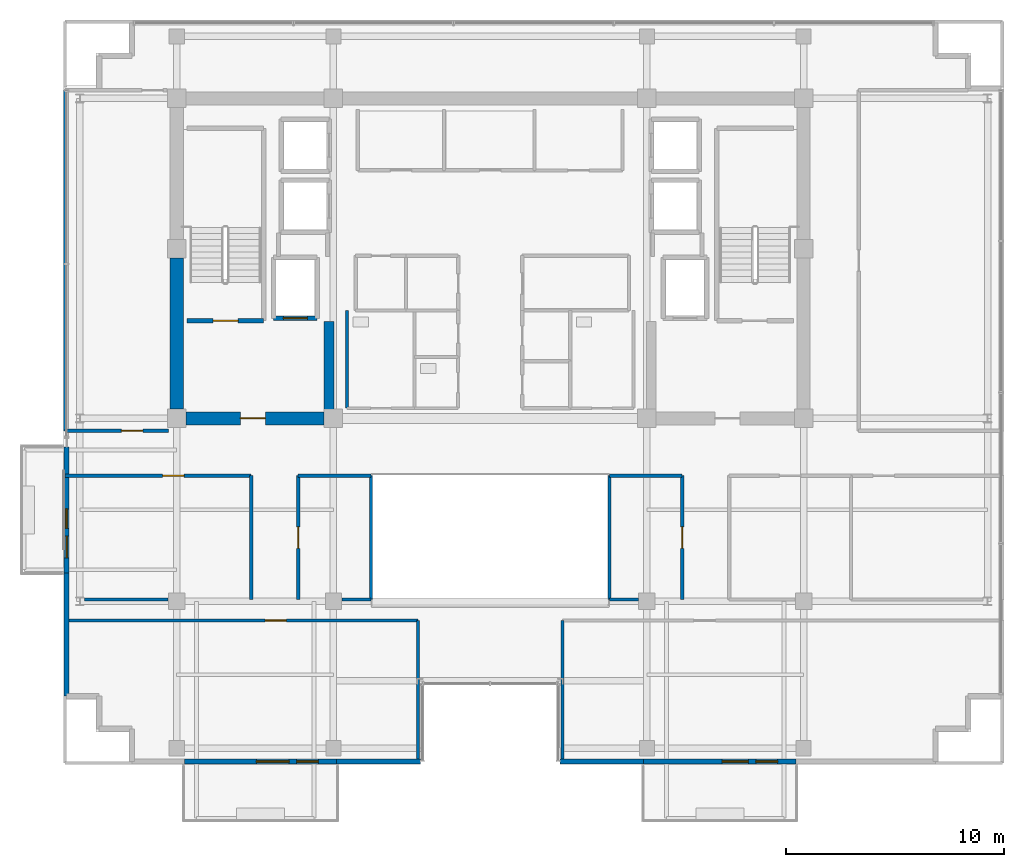
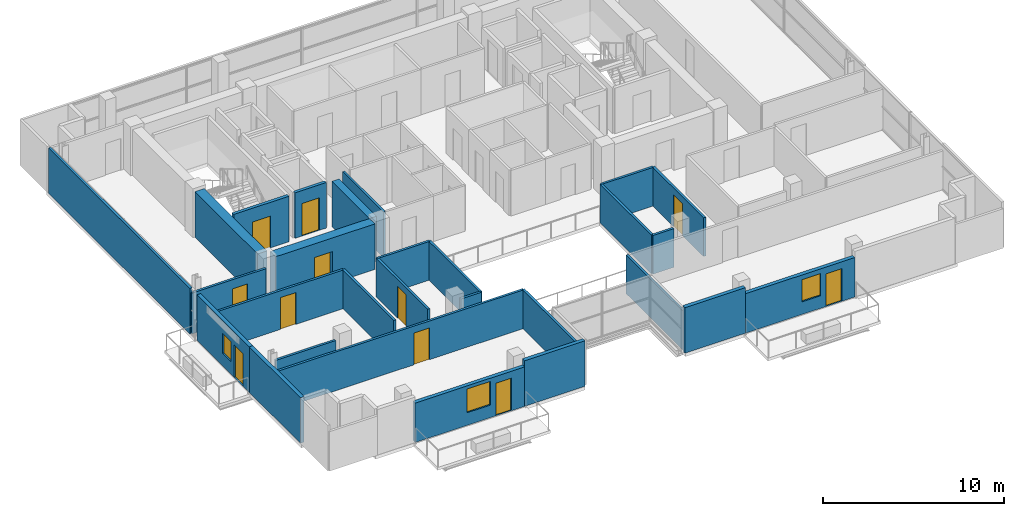
# One storey, part 15 of 21: 28 walls, 11 doors, 3 windows, 14 openings.
"""IFC4 building model written with IfcOpenShell, lengths in metres."""

import ifcopenshell
import ifcopenshell.guid

model = None  # the IFC model being written
_history = None  # IfcOwnerHistory: only IFC2X3 demands one
_inside = {}  # id of a spatial element -> (the spatial element, [elements in it])
_under = {}  # id of a project, library or spatial element -> (it, [spatial elements below it])
_declared = {}  # id of a project -> (the project, [libraries it declares])
_typed = {}  # id of a type object -> (the type object, [elements of that type])
_made_of = {}  # id of a material, layer set ... -> (it, [elements and type objects made of it])


def new_model(schema):
    """Start an empty IFC model of exactly this schema.

    Asked for "IFC4X3", IfcOpenShell would pick the latest addendum, in which some entities
    have other attributes; the version numbers below select the first issue.
    IFC2X3 requires an IfcOwnerHistory on every rooted entity: one is made here for all.
    """
    global model, _history
    if schema == "IFC4X3":
        model = ifcopenshell.file(schema_version=(4, 3, 0, 0))
    else:
        model = ifcopenshell.file(schema=schema)
    _inside.clear()
    _under.clear()
    _declared.clear()
    _typed.clear()
    _made_of.clear()
    _history = None
    if model.schema == "IFC2X3":
        org = make("IfcOrganization", Name="unknown")
        user = make(
            "IfcPersonAndOrganization",
            ThePerson=make("IfcPerson", FamilyName="unknown"),
            TheOrganization=org,
        )
        app = make(
            "IfcApplication",
            ApplicationDeveloper=org,
            Version="unknown",
            ApplicationFullName="unknown",
            ApplicationIdentifier="unknown",
        )
        _history = make(
            "IfcOwnerHistory",
            OwningUser=user,
            OwningApplication=app,
            ChangeAction="ADDED",
            CreationDate=0,
        )
    return model


def make(cls, **values):
    """One entity of the class cls with the attributes given. An attribute that is None is left unset."""
    return model.create_entity(
        cls, **{name: value for name, value in values.items() if value is not None}
    )


def rooted(cls, **values):
    """An entity with a GlobalId (a new one), such as an element, a storey or a relation."""
    return make(cls, GlobalId=ifcopenshell.guid.new(), OwnerHistory=_history, **values)


def si_unit(unit_type, name, prefix=None):
    """IfcSIUnit, for example si_unit("LENGTHUNIT", "METRE", prefix="MILLI")."""
    return make("IfcSIUnit", UnitType=unit_type, Prefix=prefix, Name=name)


def assignment(units):
    """IfcUnitAssignment: the units of a project."""
    return None if units is None else make("IfcUnitAssignment", Units=units)


def point(xyz):
    """IfcCartesianPoint."""
    return None if xyz is None else make("IfcCartesianPoint", Coordinates=xyz)


def direction(xyz):
    """IfcDirection."""
    return None if xyz is None else make("IfcDirection", DirectionRatios=xyz)


def frame(location, z_axis=None, x_axis=None):
    """IfcAxis2Placement3D, a coordinate frame: its origin and axes. An axis left out is left unset."""
    return make(
        "IfcAxis2Placement3D",
        Location=point(location),
        Axis=direction(z_axis),
        RefDirection=direction(x_axis),
    )


def frame_2d(location, x_axis=None):
    """IfcAxis2Placement2D, a coordinate frame in the plane: its origin and x axis."""
    return make(
        "IfcAxis2Placement2D", Location=point(location), RefDirection=direction(x_axis)
    )


def origin():
    """The frame at (0, 0, 0) with its axes left unset."""
    return frame((0.0, 0.0, 0.0))


def place(relative_to, where):
    """IfcLocalPlacement: puts the frame where relative to a parent placement (None: the world)."""
    return make(
        "IfcLocalPlacement", PlacementRelTo=relative_to, RelativePlacement=where
    )


def context(
    kind, dimensions, precision=None, world=None, true_north=None, identifier=None
):
    """IfcGeometricRepresentationContext, for example the 3D "Model" context."""
    return make(
        "IfcGeometricRepresentationContext",
        ContextIdentifier=identifier,
        ContextType=kind,
        CoordinateSpaceDimension=dimensions,
        Precision=precision,
        WorldCoordinateSystem=world,
        TrueNorth=true_north,
    )


def subcontext(parent, identifier, kind, view, scale=None):
    """IfcGeometricRepresentationSubContext, for example "Body" below "Model"."""
    return make(
        "IfcGeometricRepresentationSubContext",
        ContextIdentifier=identifier,
        ContextType=kind,
        ParentContext=parent,
        TargetScale=scale,
        TargetView=view,
    )


def project(units=None, contexts=None):
    """IfcProject with its units and contexts."""
    return rooted(
        "IfcProject",
        Name="project",
        RepresentationContexts=contexts,
        UnitsInContext=assignment(units),
    )


def spatial(cls, under=None, at=None, **own):
    """A site, building, storey or space (cls), placed at a placement, below another one or the project."""
    s = rooted(cls, ObjectPlacement=at, **own)
    if under is not None:
        _under.setdefault(under.id(), (under, []))[1].append(s)
    return s


def profile(cls, at=None, kind="AREA", **sizes):
    """A parametric profile (cls). Its sizes go by their IFC names, for example OverallWidth=200.0."""
    return make(cls, ProfileType=kind, Position=at, **sizes)


def rectangle(**sizes):
    """IfcRectangleProfileDef."""
    return profile("IfcRectangleProfileDef", **sizes)


def extrude(swept, where, along, depth):
    """IfcExtrudedAreaSolid: the profile swept, set in the frame where, extruded along a direction by depth."""
    return make(
        "IfcExtrudedAreaSolid",
        SweptArea=swept,
        Position=where,
        ExtrudedDirection=direction(along),
        Depth=depth,
    )


def shape(context_of_items, identifier, shape_type, items):
    """IfcShapeRepresentation: the items that make up one representation, for example the "Body"."""
    return make(
        "IfcShapeRepresentation",
        ContextOfItems=context_of_items,
        RepresentationIdentifier=identifier,
        RepresentationType=shape_type,
        Items=items,
    )


def source(mapping_origin, context_of_items, identifier, shape_type, items):
    """IfcRepresentationMap: a shape defined once, which mapped items show again and again."""
    return make(
        "IfcRepresentationMap",
        MappingOrigin=mapping_origin,
        MappedRepresentation=shape(context_of_items, identifier, shape_type, items),
    )


def transform(
    local_origin,
    x_axis=None,
    y_axis=None,
    z_axis=None,
    scale=None,
    scale2=None,
    scale3=None,
    uniform=True,
):
    """IfcCartesianTransformationOperator3D, or its non-uniform kind. x_axis, y_axis, z_axis: its Axis1, 2, 3."""
    if uniform:
        return make(
            "IfcCartesianTransformationOperator3D",
            Axis1=direction(x_axis),
            Axis2=direction(y_axis),
            LocalOrigin=point(local_origin),
            Scale=scale,
            Axis3=direction(z_axis),
        )
    return make(
        "IfcCartesianTransformationOperator3DnonUniform",
        Axis1=direction(x_axis),
        Axis2=direction(y_axis),
        LocalOrigin=point(local_origin),
        Scale=scale,
        Axis3=direction(z_axis),
        Scale2=scale2,
        Scale3=scale3,
    )


def mapped(mapping_source, mapping_target):
    """IfcMappedItem: shows the shape of a source again, moved by a transform."""
    return make(
        "IfcMappedItem", MappingSource=mapping_source, MappingTarget=mapping_target
    )


def material(Name=None, Category=None):
    """IfcMaterial."""
    return make("IfcMaterial", Name=Name, Category=Category)


def layer(
    of_material, thickness, ventilated=None, Name=None, Category=None, Priority=None
):
    """IfcMaterialLayer: one layer of a wall or slab, of a material (None: an air gap)."""
    return make(
        "IfcMaterialLayer",
        Material=of_material,
        LayerThickness=thickness,
        IsVentilated=ventilated,
        Name=Name,
        Category=Category,
        Priority=Priority,
    )


def layer_set(layers, Name=None):
    """IfcMaterialLayerSet."""
    return make("IfcMaterialLayerSet", MaterialLayers=layers, LayerSetName=Name)


def made_of(thing, what):
    """Note that an element or type object is made of a material, layer set ...; save() writes the relation."""
    if what is not None:
        _made_of.setdefault(what.id(), (what, []))[1].append(thing)
    return thing


def type_object(cls, material=None, **own):
    """A type object (cls), such as IfcWallType, which elements share."""
    return made_of(rooted(cls, **own), material)


def element(
    cls,
    number,
    at=None,
    inside=None,
    cuts=None,
    type_object=None,
    material=None,
    context=None,
    identifier="Body",
    shape_type=None,
    held_by="IfcProductDefinitionShape",
    body=None,
    shapes=None,
    **own,
):
    """One element of the class cls, such as IfcWall. Its Tag is "e" and its number.

    at: its placement. inside: the storey or other place that contains it. cuts: it is an
    opening in that element (IfcRelVoidsElement). A single representation is given by context,
    identifier, shape_type and body (its items); several are given by shapes. held_by: the class
    of the entity that holds the representations. save() writes the other relations.
    """
    e = rooted(cls, Tag="e%d" % number, ObjectPlacement=at, **own)
    if body is not None:
        shapes = [shape(context, identifier, shape_type, body)]
    if shapes is not None:
        e.Representation = make(held_by, Representations=shapes)
    if inside is not None:
        _inside.setdefault(inside.id(), (inside, []))[1].append(e)
    if cuts is not None:
        rooted(
            "IfcRelVoidsElement", RelatingBuildingElement=cuts, RelatedOpeningElement=e
        )
    if type_object is not None:
        _typed.setdefault(type_object.id(), (type_object, []))[1].append(e)
    return made_of(e, material)


def fill(opening, filler):
    """IfcRelFillsElement: the door or window that sits in an opening."""
    return rooted(
        "IfcRelFillsElement",
        RelatingOpeningElement=opening,
        RelatedBuildingElement=filler,
    )


def aggregate(whole, parts):
    """IfcRelAggregates: a whole, such as a stair, and the parts it consists of."""
    return rooted("IfcRelAggregates", RelatingObject=whole, RelatedObjects=parts)


def save(model, path):
    """Write the relations noted so far, then the file.

    IfcRelAggregates (storeys below a building ...), IfcRelContainedInSpatialStructure (elements
    in a storey), IfcRelDefinesByType, IfcRelAssociatesMaterial and IfcRelDeclares: one each for
    every whole, place, type object, material and project.
    """
    for whole, parts in _under.values():
        aggregate(whole, parts)
    for where, things in _inside.values():
        rooted(
            "IfcRelContainedInSpatialStructure",
            RelatedElements=things,
            RelatingStructure=where,
        )
    for kind, things in _typed.values():
        rooted("IfcRelDefinesByType", RelatedObjects=things, RelatingType=kind)
    for what, things in _made_of.values():
        rooted("IfcRelAssociatesMaterial", RelatedObjects=things, RelatingMaterial=what)
    for by, libraries in _declared.values():
        rooted("IfcRelDeclares", RelatingContext=by, RelatedDefinitions=libraries)
    model.write(path)


model = new_model("IFC4")

# Units and contexts
model_context = context("Model", 3, precision=1e-05, world=origin(), true_north=direction((0.0, 1.0)))
body_context = subcontext(model_context, "Body", "Model", "MODEL_VIEW")
ifc_project = project(units=[si_unit("LENGTHUNIT", "METRE"), si_unit("AREAUNIT", "SQUARE_METRE"), si_unit("VOLUMEUNIT", "CUBIC_METRE"), si_unit("PLANEANGLEUNIT", "RADIAN"), si_unit("MASSUNIT", "GRAM", prefix="KILO")], contexts=[model_context])

# Site, building, storey
site_placement = place(None, origin())
site = spatial("IfcSite", under=ifc_project, at=site_placement, CompositionType="ELEMENT")
building_placement = place(site_placement, origin())
building = spatial("IfcBuilding", under=site, at=building_placement, Name="Zarnakvel Exchange Tower", CompositionType="ELEMENT")
storey_placement = place(building_placement, frame((0.0, 0.0, 241.89990234375)))
storey = spatial("IfcBuildingStorey", under=building, at=storey_placement, Name="L68", CompositionType="ELEMENT", Elevation=241.89990234375)

# Wall
ifc_material_1 = material(Name="Concrete C50/60", Category="concrete")
ifc_layer_1 = layer(ifc_material_1, 0.60009765625)
ifc_layer_set_1 = layer_set([ifc_layer_1], Name="Concrete C50/60")
wall_type_1 = type_object("IfcWallType", Name="CW-C5", PredefinedType="SHEAR", material=ifc_layer_set_1)
wall_1_placement = place(storey_placement, frame((-14.39990234375, -0.77490234375, 0.0), z_axis=(0.0, 0.0, 1.0), x_axis=(0.0, 1.0, 0.0)))
element("IfcWall", 1, at=wall_1_placement, inside=storey, type_object=wall_type_1, Name="L68 Rear Core Shear Wall W1 (CW-C5)", PredefinedType="SHEAR", context=body_context, shape_type="SweptSolid", body=[
    extrude(rectangle(XDim=6.949951171875, YDim=0.60009765625, at=frame_2d((3.47509765625, 0.0))), origin(), (0.0, 0.0, 1.0), 3.0751953125),
])

# Wall, opening, door
wall_2_placement = place(storey_placement, frame((-7.625, -1.199951171875, 0.0), z_axis=(0.0, 0.0, 1.0), x_axis=(-1.0, 0.0, 0.0)))
wall_2 = element("IfcWall", 2, at=wall_2_placement, inside=storey, type_object=wall_type_1, Name="L68 Rear Core Shear Wall SW (CW-C5)", PredefinedType="SHEAR", context=body_context, shape_type="SweptSolid", body=[
    extrude(rectangle(XDim=6.35009765625, YDim=0.60009765625, at=frame_2d((3.175048828125, 0.0))), origin(), (0.0, 0.0, 1.0), 3.0751953125),
])
opening_1_placement = place(wall_2_placement, frame((2.699951171875, 0.0, 0.0)))
opening_1 = element("IfcOpeningElement", 3, at=opening_1_placement, cuts=wall_2, Name="Opening D-L68-03", PredefinedType="OPENING", context=body_context, shape_type="SweptSolid", body=[
    extrude(rectangle(XDim=1.14990234375, YDim=2.14990234375, at=frame_2d((0.574951171875, 1.074951171875))), frame((0.0, 0.31005859375, 0.0), z_axis=(0.0, -1.0, 0.0), x_axis=(1.0, 0.0, 0.0)), (0.0, 0.0, 1.0), 0.6201171875),
])
ifc_material_2 = material(Name="Painted Galvanised Steel S355", Category="steel")
door_type_1 = type_object("IfcDoorType", Name="DT-04", OperationType="NOTDEFINED", PredefinedType="DOOR", material=ifc_material_2)
shared_shape_1 = source(origin(), body_context, "Body", "SweptSolid", [
    extrude(rectangle(XDim=1.14990234375, YDim=2.14990234375, at=frame_2d((0.574951171875, 1.074951171875))), frame((0.0, 0.02490234375, 0.0), z_axis=(0.0, -1.0, 0.0), x_axis=(1.0, 0.0, 0.0)), (0.0, 0.0, 1.0), 0.050048828125),
])
door_1_placement = place(opening_1_placement, origin())
door_1 = element("IfcDoor", 4, at=door_1_placement, inside=storey, type_object=door_type_1, Name="L68 Firefighting Lobby West Door D-L68-03", OperationType="SINGLE_SWING_LEFT", OverallHeight=2.14990234375, OverallWidth=1.14990234375, PredefinedType="DOOR", context=body_context, shape_type="MappedRepresentation", body=[
    mapped(shared_shape_1, transform((0.0, 0.0, 0.0), x_axis=(1.0, 0.0, 0.0), y_axis=(0.0, 1.0, 0.0), z_axis=(0.0, 0.0, 1.0), scale=1.0)),
])
fill(opening_1, door_1)

# Wall
ifc_layer_2 = layer(ifc_material_1, 0.449951171875)
ifc_layer_set_2 = layer_set([ifc_layer_2], Name="Concrete C50/60")
wall_type_2 = type_object("IfcWallType", Name="CW-C6", PredefinedType="SHEAR", material=ifc_layer_set_2)
wall_3_placement = place(storey_placement, frame((-7.39990234375, -0.89990234375, 0.0), z_axis=(0.0, 0.0, 1.0), x_axis=(0.0, 1.0, 0.0)))
element("IfcWall", 5, at=wall_3_placement, inside=storey, type_object=wall_type_2, Name="L68 Rear Core Shear Wall IW (CW-C6)", PredefinedType="SHEAR", context=body_context, shape_type="SweptSolid", body=[
    extrude(rectangle(XDim=4.14990234375, YDim=0.449951171875, at=frame_2d((2.074951171875, 0.0))), origin(), (0.0, 0.0, 1.0), 3.0751953125),
])

# Wall, openings, door, window
ifc_material_3 = material(Name="Precast concrete C40/50", Category="concrete")
ifc_layer_3 = layer(ifc_material_3, 0.239990234375)
ifc_layer_set_3 = layer_set([ifc_layer_3], Name="Precast concrete C40/50")
wall_type_3 = type_object("IfcWallType", Name="EW-02", PredefinedType="SOLIDWALL", material=ifc_layer_set_3)
wall_4_placement = place(storey_placement, frame((-7.050048828125, -16.9599609375, 0.0), z_axis=(0.0, 0.0, 1.0), x_axis=(-1.0, 0.0, 0.0)))
wall_4 = element("IfcWall", 6, at=wall_4_placement, inside=storey, type_object=wall_type_3, Name="L68 Exterior Precast Spandrel Wall EW-BAL-L68-SW (EW-02)", PredefinedType="SOLIDWALL", context=body_context, shape_type="SweptSolid", body=[
    extrude(rectangle(XDim=7.0, YDim=0.239990234375, at=frame_2d((3.5, 0.0))), origin(), (0.0, 0.0, 1.0), 2.6650390625),
])
opening_2_placement = place(wall_4_placement, frame((0.840087890625, 0.0, 0.0)))
opening_2 = element("IfcOpeningElement", 7, at=opening_2_placement, cuts=wall_4, Name="Opening BD-L68-01", PredefinedType="OPENING", context=body_context, shape_type="SweptSolid", body=[
    extrude(rectangle(XDim=1.0, YDim=2.199951171875, at=frame_2d((0.5, 1.10009765625))), frame((0.0, 0.1298828125, 0.0), z_axis=(0.0, -1.0, 0.0), x_axis=(1.0, 0.0, 0.0)), (0.0, 0.0, 1.0), 0.260009765625),
])
opening_3_placement = place(wall_4_placement, frame((2.18994140625, 0.0, 0.85009765625)))
opening_3 = element("IfcOpeningElement", 8, at=opening_3_placement, cuts=wall_4, Name="Opening WN-03", PredefinedType="OPENING", context=body_context, shape_type="SweptSolid", body=[
    extrude(rectangle(XDim=1.5, YDim=1.60009765625, at=frame_2d((0.75, 0.800048828125))), frame((0.0, 0.1298828125, 0.0), z_axis=(0.0, -1.0, 0.0), x_axis=(1.0, 0.0, 0.0)), (0.0, 0.0, 1.0), 0.260009765625),
])
ifc_material_4 = material(Name="Architectural Bronze Anodised Aluminium", Category="aluminium")
door_type_2 = type_object("IfcDoorType", Name="DT-09", OperationType="NOTDEFINED", PredefinedType="DOOR", material=ifc_material_4)
shared_shape_2 = source(origin(), body_context, "Body", "SweptSolid", [
    extrude(rectangle(XDim=1.0, YDim=2.199951171875, at=frame_2d((0.5, 1.10009765625))), frame((0.0, 0.02490234375, 0.0), z_axis=(0.0, -1.0, 0.0), x_axis=(1.0, 0.0, 0.0)), (0.0, 0.0, 1.0), 0.050048828125),
])
door_2_placement = place(opening_2_placement, origin())
door_2 = element("IfcDoor", 9, at=door_2_placement, inside=storey, type_object=door_type_2, Name="L68 Planted Loggia Balcony Door BD-L68-01", OperationType="SINGLE_SWING_RIGHT", OverallHeight=2.199951171875, OverallWidth=1.0, PredefinedType="DOOR", context=body_context, shape_type="MappedRepresentation", body=[
    mapped(shared_shape_2, transform((0.0, 0.0, 0.0), x_axis=(1.0, 0.0, 0.0), y_axis=(0.0, 1.0, 0.0), z_axis=(0.0, 0.0, 1.0), scale=1.0)),
])
fill(opening_2, door_2)
ifc_material_5 = material(Name="Double Low-E Laminated Vision Glass", Category="glass")
window_type_1 = type_object("IfcWindowType", Name="WN-03", PartitioningType="SINGLE_PANEL", PredefinedType="WINDOW", material=ifc_material_5)
shared_shape_3 = source(origin(), body_context, "Body", "SweptSolid", [
    extrude(rectangle(XDim=1.5, YDim=1.60009765625, at=frame_2d((0.75, 0.800048828125))), frame((0.0, 0.030029296875, 0.0), z_axis=(0.0, -1.0, 0.0), x_axis=(1.0, 0.0, 0.0)), (0.0, 0.0, 1.0), 0.06005859375),
])
window_1_placement = place(opening_3_placement, origin())
window_1 = element("IfcWindow", 10, at=window_1_placement, inside=storey, type_object=window_type_1, Name="L68 Loggia Daylight Window (WN-03)", OverallHeight=1.60009765625, OverallWidth=1.5, PartitioningType="SINGLE_PANEL", PredefinedType="WINDOW", context=body_context, shape_type="MappedRepresentation", body=[
    mapped(shared_shape_3, transform((0.0, 0.0, 0.0), x_axis=(1.0, 0.0, 0.0), y_axis=(0.0, 1.0, 0.0), z_axis=(0.0, 0.0, 1.0), scale=1.0)),
])
fill(opening_3, window_1)

wall_5_placement = place(storey_placement, frame((14.050048828125, -16.9599609375, 0.0), z_axis=(0.0, 0.0, 1.0), x_axis=(-1.0, 0.0, 0.0)))
wall_5 = element("IfcWall", 11, at=wall_5_placement, inside=storey, type_object=wall_type_3, Name="L68 Exterior Precast Spandrel Wall EW-BAL-L68-SE (EW-02)", PredefinedType="SOLIDWALL", context=body_context, shape_type="SweptSolid", body=[
    extrude(rectangle(XDim=7.0, YDim=0.239990234375, at=frame_2d((3.5, 0.0))), origin(), (0.0, 0.0, 1.0), 2.6650390625),
])
opening_4_placement = place(wall_5_placement, frame((0.840087890625, 0.0, 0.0)))
opening_4 = element("IfcOpeningElement", 12, at=opening_4_placement, cuts=wall_5, Name="Opening BD-L68-02", PredefinedType="OPENING", context=body_context, shape_type="SweptSolid", body=[
    extrude(rectangle(XDim=1.0, YDim=2.199951171875, at=frame_2d((0.5, 1.10009765625))), frame((0.0, 0.1298828125, 0.0), z_axis=(0.0, -1.0, 0.0), x_axis=(1.0, 0.0, 0.0)), (0.0, 0.0, 1.0), 0.260009765625),
])
opening_5_placement = place(wall_5_placement, frame((2.18994140625, 0.0, 0.85009765625)))
opening_5 = element("IfcOpeningElement", 13, at=opening_5_placement, cuts=wall_5, Name="Opening WN-04", PredefinedType="OPENING", context=body_context, shape_type="SweptSolid", body=[
    extrude(rectangle(XDim=1.199951171875, YDim=1.5, at=frame_2d((0.60009765625, 0.75))), frame((0.0, 0.1298828125, 0.0), z_axis=(0.0, -1.0, 0.0), x_axis=(1.0, 0.0, 0.0)), (0.0, 0.0, 1.0), 0.260009765625),
])
door_3_placement = place(opening_4_placement, origin())
door_3 = element("IfcDoor", 14, at=door_3_placement, inside=storey, type_object=door_type_2, Name="L68 Planted Loggia Balcony Door BD-L68-02", OperationType="SINGLE_SWING_LEFT", OverallHeight=2.199951171875, OverallWidth=1.0, PredefinedType="DOOR", context=body_context, shape_type="MappedRepresentation", body=[
    mapped(shared_shape_2, transform((0.0, 0.0, 0.0), x_axis=(1.0, 0.0, 0.0), y_axis=(0.0, 1.0, 0.0), z_axis=(0.0, 0.0, 1.0), scale=1.0)),
])
fill(opening_4, door_3)
window_type_2 = type_object("IfcWindowType", Name="WN-04", PartitioningType="SINGLE_PANEL", PredefinedType="WINDOW", material=ifc_material_5)
shared_shape_4 = source(origin(), body_context, "Body", "SweptSolid", [
    extrude(rectangle(XDim=1.199951171875, YDim=1.5, at=frame_2d((0.60009765625, 0.75))), frame((0.0, 0.030029296875, 0.0), z_axis=(0.0, -1.0, 0.0), x_axis=(1.0, 0.0, 0.0)), (0.0, 0.0, 1.0), 0.06005859375),
])
window_2_placement = place(opening_5_placement, origin())
window_2 = element("IfcWindow", 15, at=window_2_placement, inside=storey, type_object=window_type_2, Name="L68 Loggia Daylight Window (WN-04)", OverallHeight=1.5, OverallWidth=1.199951171875, PartitioningType="SINGLE_PANEL", PredefinedType="WINDOW", context=body_context, shape_type="MappedRepresentation", body=[
    mapped(shared_shape_4, transform((0.0, 0.0, 0.0), x_axis=(1.0, 0.0, 0.0), y_axis=(0.0, 1.0, 0.0), z_axis=(0.0, 0.0, 1.0), scale=1.0)),
])
fill(opening_5, window_2)

wall_6_placement = place(storey_placement, frame((-19.4599609375, -8.300048828125, 0.0), z_axis=(0.0, 0.0, 1.0), x_axis=(0.0, 1.0, 0.0)))
wall_6 = element("IfcWall", 16, at=wall_6_placement, inside=storey, type_object=wall_type_3, Name="L68 Exterior Precast Spandrel Wall EW-BAL-L68-W (EW-02)", PredefinedType="SOLIDWALL", context=body_context, shape_type="SweptSolid", body=[
    extrude(rectangle(XDim=5.800048828125, YDim=0.239990234375, at=frame_2d((2.89990234375, 0.0))), origin(), (0.0, 0.0, 1.0), 3.0751953125),
])
opening_6_placement = place(wall_6_placement, frame((0.696044921875, 0.0, 0.0)))
opening_6 = element("IfcOpeningElement", 17, at=opening_6_placement, cuts=wall_6, Name="Opening BD-L68-03", PredefinedType="OPENING", context=body_context, shape_type="SweptSolid", body=[
    extrude(rectangle(XDim=1.0, YDim=2.199951171875, at=frame_2d((0.5, 1.10009765625))), frame((0.0, 0.1298828125, 0.0), z_axis=(0.0, -1.0, 0.0), x_axis=(1.0, 0.0, 0.0)), (0.0, 0.0, 1.0), 0.260009765625),
])
opening_7_placement = place(wall_6_placement, frame((2.0458984375, 0.0, 0.85009765625)))
opening_7 = element("IfcOpeningElement", 18, at=opening_7_placement, cuts=wall_6, Name="Opening WN-06", PredefinedType="OPENING", context=body_context, shape_type="SweptSolid", body=[
    extrude(rectangle(XDim=0.89990234375, YDim=1.35009765625, at=frame_2d((0.449951171875, 0.675048828125))), frame((0.0, 0.1298828125, 0.0), z_axis=(0.0, -1.0, 0.0), x_axis=(1.0, 0.0, 0.0)), (0.0, 0.0, 1.0), 0.260009765625),
])
door_4_placement = place(opening_6_placement, origin())
door_4 = element("IfcDoor", 19, at=door_4_placement, inside=storey, type_object=door_type_2, Name="L68 Planted Loggia Balcony Door BD-L68-03", OperationType="SINGLE_SWING_RIGHT", OverallHeight=2.199951171875, OverallWidth=1.0, PredefinedType="DOOR", context=body_context, shape_type="MappedRepresentation", body=[
    mapped(shared_shape_2, transform((0.0, 0.0, 0.0), x_axis=(1.0, 0.0, 0.0), y_axis=(0.0, 1.0, 0.0), z_axis=(0.0, 0.0, 1.0), scale=1.0)),
])
fill(opening_6, door_4)
window_type_3 = type_object("IfcWindowType", Name="WN-06", PartitioningType="SINGLE_PANEL", PredefinedType="WINDOW", material=ifc_material_5)
shared_shape_5 = source(origin(), body_context, "Body", "SweptSolid", [
    extrude(rectangle(XDim=0.89990234375, YDim=1.35009765625, at=frame_2d((0.449951171875, 0.675048828125))), frame((0.0, 0.030029296875, 0.0), z_axis=(0.0, -1.0, 0.0), x_axis=(1.0, 0.0, 0.0)), (0.0, 0.0, 1.0), 0.06005859375),
])
window_3_placement = place(opening_7_placement, origin())
window_3 = element("IfcWindow", 20, at=window_3_placement, inside=storey, type_object=window_type_3, Name="L68 Loggia Daylight Window (WN-06)", OverallHeight=1.35009765625, OverallWidth=0.89990234375, PartitioningType="SINGLE_PANEL", PredefinedType="WINDOW", context=body_context, shape_type="MappedRepresentation", body=[
    mapped(shared_shape_5, transform((0.0, 0.0, 0.0), x_axis=(1.0, 0.0, 0.0), y_axis=(0.0, 1.0, 0.0), z_axis=(0.0, 0.0, 1.0), scale=1.0)),
])
fill(opening_7, window_3)

# Walls
wall_7_placement = place(storey_placement, frame((-19.4599609375, -8.300048828125, 0.0), z_axis=(0.0, 0.0, 1.0), x_axis=(0.0, -1.0, 0.0)))
element("IfcWall", 21, at=wall_7_placement, inside=storey, type_object=wall_type_3, Name="L68 Exterior Precast Spandrel Wall EWC-L68-01 (EW-02)", PredefinedType="SOLIDWALL", context=body_context, shape_type="SweptSolid", body=[
    extrude(rectangle(XDim=5.659912109375, YDim=0.239990234375, at=frame_2d((2.830078125, 0.0))), origin(), (0.0, 0.0, 1.0), 3.0751953125),
])
for number, where, z_axis, x_axis, name in (
    (22, (3.199951171875, -16.9599609375, 0.0), (0.0, 0.0, 1.0), (1.0, 0.0, 0.0), "L68 Exterior Precast Spandrel Wall EWC-L68-16 (EW-02)"),
    (23, (-7.050048828125, -16.9599609375, 0.0), (0.0, 0.0, 1.0), (1.0, 0.0, 0.0), "L68 Exterior Precast Spandrel Wall EWC-L68-21 (EW-02)"),
):
    element("IfcWall", number, at=place(storey_placement, frame(where, z_axis=z_axis, x_axis=x_axis)), inside=storey, type_object=wall_type_3, Name=name, PredefinedType="SOLIDWALL", context=body_context, shape_type="SweptSolid", body=[
        extrude(rectangle(XDim=3.85009765625, YDim=0.239990234375, at=frame_2d((1.925048828125, 0.0))), origin(), (0.0, 0.0, 1.0), 3.0751953125),
    ])
ifc_material_6 = material(Name="Fire-Rated Gypsum Stud Partition", Category="gypsum")
ifc_layer_4 = layer(ifc_material_6, 0.14990234375)
ifc_layer_set_4 = layer_set([ifc_layer_4], Name="Fire-Rated Gypsum Stud Partition")
wall_type_4 = type_object("IfcWallType", Name="PT-01", PredefinedType="PARTITIONING", material=ifc_layer_set_4)
wall_8_placement = place(storey_placement, frame((-14.794921875, -9.52001953125, 0.0), z_axis=(0.0, 0.0, 1.0), x_axis=(-1.0, 0.0, 0.0)))
element("IfcWall", 24, at=wall_8_placement, inside=storey, type_object=wall_type_4, Name="L68 Partition Wall PWALL-L68-044 (PT-01)", PredefinedType="PARTITIONING", context=body_context, shape_type="SweptSolid", body=[
    extrude(rectangle(XDim=3.84765625, YDim=0.14990234375, at=frame_2d((1.923828125, 0.0))), origin(), (0.0, 0.0, 1.0), 2.614990234375),
])

# Wall, opening, door
wall_9_placement = place(storey_placement, frame((-19.530029296875, -3.830078125, 0.0), z_axis=(0.0, 0.0, 1.0), x_axis=(1.0, 0.0, 0.0)))
wall_9 = element("IfcWall", 25, at=wall_9_placement, inside=storey, type_object=wall_type_4, Name="L68 Partition Wall PWALL-L68-045 (PT-01)", PredefinedType="PARTITIONING", context=body_context, shape_type="SweptSolid", body=[
    extrude(rectangle(XDim=8.550048828125, YDim=0.14990234375, at=frame_2d((4.27490234375, 0.0))), origin(), (0.0, 0.0, 1.0), 2.614990234375),
])
opening_8_placement = place(wall_9_placement, frame((4.485107421875, 0.0, 0.0)))
opening_8 = element("IfcOpeningElement", 26, at=opening_8_placement, cuts=wall_9, Name="Opening D-L68-17", PredefinedType="OPENING", context=body_context, shape_type="SweptSolid", body=[
    extrude(rectangle(XDim=0.97998046875, YDim=2.14990234375, at=frame_2d((0.489990234375, 1.074951171875))), frame((0.0, 0.0849609375, 0.0), z_axis=(0.0, -1.0, 0.0), x_axis=(1.0, 0.0, 0.0)), (0.0, 0.0, 1.0), 0.169921875),
])
ifc_material_7 = material(Name="Timber Acoustic Veneer", Category="wood")
door_type_3 = type_object("IfcDoorType", Name="DT-05", OperationType="NOTDEFINED", PredefinedType="DOOR", material=ifc_material_7)
shared_shape_6 = source(origin(), body_context, "Body", "SweptSolid", [
    extrude(rectangle(XDim=0.97998046875, YDim=2.14990234375, at=frame_2d((0.489990234375, 1.074951171875))), frame((0.0, 0.02490234375, 0.0), z_axis=(0.0, -1.0, 0.0), x_axis=(1.0, 0.0, 0.0)), (0.0, 0.0, 1.0), 0.050048828125),
])
door_5_placement = place(opening_8_placement, origin())
door_5 = element("IfcDoor", 27, at=door_5_placement, inside=storey, type_object=door_type_3, Name="L68 Equities Trading Floor Door D-L68-17", OperationType="SINGLE_SWING_LEFT", OverallHeight=2.14990234375, OverallWidth=0.97998046875, PredefinedType="DOOR", context=body_context, shape_type="MappedRepresentation", body=[
    mapped(shared_shape_6, transform((0.0, 0.0, 0.0), x_axis=(1.0, 0.0, 0.0), y_axis=(0.0, 1.0, 0.0), z_axis=(0.0, 0.0, 1.0), scale=1.0)),
])
fill(opening_8, door_5)

# Wall
wall_10_placement = place(storey_placement, frame((-10.97998046875, -3.830078125, 0.0), z_axis=(0.0, 0.0, 1.0), x_axis=(0.0, -1.0, 0.0)))
element("IfcWall", 28, at=wall_10_placement, inside=storey, type_object=wall_type_4, Name="L68 Partition Wall PWALL-L68-047 (PT-01)", PredefinedType="PARTITIONING", context=body_context, shape_type="SweptSolid", body=[
    extrude(rectangle(XDim=5.68994140625, YDim=0.14990234375, at=frame_2d((2.844970703125, 0.0))), origin(), (0.0, 0.0, 1.0), 2.614990234375),
])

# Wall, opening, door
wall_11_placement = place(storey_placement, frame((-19.530029296875, -10.47998046875, 0.0), z_axis=(0.0, 0.0, 1.0), x_axis=(1.0, 0.0, 0.0)))
wall_11 = element("IfcWall", 29, at=wall_11_placement, inside=storey, type_object=wall_type_4, Name="L68 Partition Wall PWALL-L68-049 (PT-01)", PredefinedType="PARTITIONING", context=body_context, shape_type="SweptSolid", body=[
    extrude(rectangle(XDim=16.2099609375, YDim=0.14990234375, at=frame_2d((8.10498046875, 0.0))), origin(), (0.0, 0.0, 1.0), 2.614990234375),
])
opening_9_placement = place(wall_11_placement, frame((9.18994140625, 0.0, 0.0)))
opening_9 = element("IfcOpeningElement", 30, at=opening_9_placement, cuts=wall_11, Name="Opening D-L68-18", PredefinedType="OPENING", context=body_context, shape_type="SweptSolid", body=[
    extrude(rectangle(XDim=0.97998046875, YDim=2.14990234375, at=frame_2d((0.489990234375, 1.074951171875))), frame((0.0, 0.0849609375, 0.0), z_axis=(0.0, -1.0, 0.0), x_axis=(1.0, 0.0, 0.0)), (0.0, 0.0, 1.0), 0.169921875),
])
door_6_placement = place(opening_9_placement, origin())
door_6 = element("IfcDoor", 31, at=door_6_placement, inside=storey, type_object=door_type_3, Name="L68 Equities Trading Floor Door D-L68-18", OperationType="SINGLE_SWING_RIGHT", OverallHeight=2.14990234375, OverallWidth=0.97998046875, PredefinedType="DOOR", context=body_context, shape_type="MappedRepresentation", body=[
    mapped(shared_shape_6, transform((0.0, 0.0, 0.0), x_axis=(1.0, 0.0, 0.0), y_axis=(0.0, 1.0, 0.0), z_axis=(0.0, 0.0, 1.0), scale=1.0)),
])
fill(opening_9, door_6)

# Walls
for number, where, z_axis, x_axis, name in (
    (32, (-3.320068359375, -10.47998046875, 0.0), (0.0, 0.0, 1.0), (0.0, -1.0, 0.0), "L68 Partition Wall PWALL-L68-051 (PT-01)"),
    (33, (3.320068359375, -17.030029296875, 0.0), (0.0, 0.0, 1.0), (0.0, 1.0, 0.0), "L68 Partition Wall PWALL-L68-061 (PT-01)"),
):
    element("IfcWall", number, at=place(storey_placement, frame(where, z_axis=z_axis, x_axis=x_axis)), inside=storey, type_object=wall_type_4, Name=name, PredefinedType="PARTITIONING", context=body_context, shape_type="SweptSolid", body=[
        extrude(rectangle(XDim=6.550048828125, YDim=0.14990234375, at=frame_2d((3.27490234375, 0.0))), origin(), (0.0, 0.0, 1.0), 2.614990234375),
    ])
wall_12_placement = place(storey_placement, frame((-5.47998046875, -9.52001953125, 0.0), z_axis=(0.0, 0.0, 1.0), x_axis=(-1.0, 0.0, 0.0)))
element("IfcWall", 34, at=wall_12_placement, inside=storey, type_object=wall_type_4, Name="L68 Partition Wall PWALL-L68-063 (PT-01)", PredefinedType="PARTITIONING", context=body_context, shape_type="SweptSolid", body=[
    extrude(rectangle(XDim=1.324951171875, YDim=0.14990234375, at=frame_2d((0.66259765625, 0.0))), origin(), (0.0, 0.0, 1.0), 2.614990234375),
])
wall_13_placement = place(storey_placement, frame((-8.820068359375, -3.830078125, 0.0), z_axis=(0.0, 0.0, 1.0), x_axis=(1.0, 0.0, 0.0)))
element("IfcWall", 35, at=wall_13_placement, inside=storey, type_object=wall_type_4, Name="L68 Partition Wall PWALL-L68-064 (PT-01)", PredefinedType="PARTITIONING", context=body_context, shape_type="SweptSolid", body=[
    extrude(rectangle(XDim=3.340087890625, YDim=0.14990234375, at=frame_2d((1.669921875, 0.0))), origin(), (0.0, 0.0, 1.0), 2.614990234375),
])

# Wall, opening, door
wall_14_placement = place(storey_placement, frame((-8.820068359375, -9.52001953125, 0.0), z_axis=(0.0, 0.0, 1.0), x_axis=(0.0, 1.0, 0.0)))
wall_14 = element("IfcWall", 36, at=wall_14_placement, inside=storey, type_object=wall_type_4, Name="L68 Partition Wall PWALL-L68-065 (PT-01)", PredefinedType="PARTITIONING", context=body_context, shape_type="SweptSolid", body=[
    extrude(rectangle(XDim=5.68994140625, YDim=0.14990234375, at=frame_2d((2.844970703125, 0.0))), origin(), (0.0, 0.0, 1.0), 2.614990234375),
])
opening_10_placement = place(wall_14_placement, frame((2.35498046875, 0.0, 0.0)))
opening_10 = element("IfcOpeningElement", 37, at=opening_10_placement, cuts=wall_14, Name="Opening D-L68-22", PredefinedType="OPENING", context=body_context, shape_type="SweptSolid", body=[
    extrude(rectangle(XDim=0.97998046875, YDim=2.14990234375, at=frame_2d((0.489990234375, 1.074951171875))), frame((0.0, 0.0849609375, 0.0), z_axis=(0.0, -1.0, 0.0), x_axis=(1.0, 0.0, 0.0)), (0.0, 0.0, 1.0), 0.169921875),
])
door_7_placement = place(opening_10_placement, origin())
door_7 = element("IfcDoor", 38, at=door_7_placement, inside=storey, type_object=door_type_3, Name="L68 Staff Pantry Door D-L68-22", OperationType="SINGLE_SWING_RIGHT", OverallHeight=2.14990234375, OverallWidth=0.97998046875, PredefinedType="DOOR", context=body_context, shape_type="MappedRepresentation", body=[
    mapped(shared_shape_6, transform((0.0, 0.0, 0.0), x_axis=(1.0, 0.0, 0.0), y_axis=(0.0, 1.0, 0.0), z_axis=(0.0, 0.0, 1.0), scale=1.0)),
])
fill(opening_10, door_7)

# Walls
wall_15_placement = place(storey_placement, frame((-5.47998046875, -3.830078125, 0.0), z_axis=(0.0, 0.0, 1.0), x_axis=(0.0, -1.0, 0.0)))
element("IfcWall", 39, at=wall_15_placement, inside=storey, type_object=wall_type_4, Name="L68 Partition Wall PWALL-L68-066 (PT-01)", PredefinedType="PARTITIONING", context=body_context, shape_type="SweptSolid", body=[
    extrude(rectangle(XDim=5.68994140625, YDim=0.14990234375, at=frame_2d((2.844970703125, 0.0))), origin(), (0.0, 0.0, 1.0), 2.614990234375),
])
wall_16_placement = place(storey_placement, frame((6.804931640625, -9.52001953125, 0.0), z_axis=(0.0, 0.0, 1.0), x_axis=(-1.0, 0.0, 0.0)))
element("IfcWall", 40, at=wall_16_placement, inside=storey, type_object=wall_type_4, Name="L68 Partition Wall PWALL-L68-067 (PT-01)", PredefinedType="PARTITIONING", context=body_context, shape_type="SweptSolid", body=[
    extrude(rectangle(XDim=1.324951171875, YDim=0.14990234375, at=frame_2d((0.66259765625, 0.0))), origin(), (0.0, 0.0, 1.0), 2.614990234375),
])
wall_17_placement = place(storey_placement, frame((5.47998046875, -3.830078125, 0.0), z_axis=(0.0, 0.0, 1.0), x_axis=(1.0, 0.0, 0.0)))
element("IfcWall", 41, at=wall_17_placement, inside=storey, type_object=wall_type_4, Name="L68 Partition Wall PWALL-L68-068 (PT-01)", PredefinedType="PARTITIONING", context=body_context, shape_type="SweptSolid", body=[
    extrude(rectangle(XDim=3.340087890625, YDim=0.14990234375, at=frame_2d((1.669921875, 0.0))), origin(), (0.0, 0.0, 1.0), 2.614990234375),
])
wall_18_placement = place(storey_placement, frame((5.47998046875, -9.52001953125, 0.0), z_axis=(0.0, 0.0, 1.0), x_axis=(0.0, 1.0, 0.0)))
element("IfcWall", 42, at=wall_18_placement, inside=storey, type_object=wall_type_4, Name="L68 Partition Wall PWALL-L68-069 (PT-01)", PredefinedType="PARTITIONING", context=body_context, shape_type="SweptSolid", body=[
    extrude(rectangle(XDim=5.68994140625, YDim=0.14990234375, at=frame_2d((2.844970703125, 0.0))), origin(), (0.0, 0.0, 1.0), 2.614990234375),
])

# Wall, opening, door
wall_19_placement = place(storey_placement, frame((8.820068359375, -3.830078125, 0.0), z_axis=(0.0, 0.0, 1.0), x_axis=(0.0, -1.0, 0.0)))
wall_19 = element("IfcWall", 43, at=wall_19_placement, inside=storey, type_object=wall_type_4, Name="L68 Partition Wall PWALL-L68-070 (PT-01)", PredefinedType="PARTITIONING", context=body_context, shape_type="SweptSolid", body=[
    extrude(rectangle(XDim=5.68994140625, YDim=0.14990234375, at=frame_2d((2.844970703125, 0.0))), origin(), (0.0, 0.0, 1.0), 2.614990234375),
])
opening_11_placement = place(wall_19_placement, frame((2.35498046875, 0.0, 0.0)))
opening_11 = element("IfcOpeningElement", 44, at=opening_11_placement, cuts=wall_19, Name="Opening D-L68-23", PredefinedType="OPENING", context=body_context, shape_type="SweptSolid", body=[
    extrude(rectangle(XDim=0.97998046875, YDim=2.14990234375, at=frame_2d((0.489990234375, 1.074951171875))), frame((0.0, 0.0849609375, 0.0), z_axis=(0.0, -1.0, 0.0), x_axis=(1.0, 0.0, 0.0)), (0.0, 0.0, 1.0), 0.169921875),
])
door_8_placement = place(opening_11_placement, origin())
door_8 = element("IfcDoor", 45, at=door_8_placement, inside=storey, type_object=door_type_3, Name="L68 Risk Analytics Suite Door D-L68-23", OperationType="SINGLE_SWING_LEFT", OverallHeight=2.14990234375, OverallWidth=0.97998046875, PredefinedType="DOOR", context=body_context, shape_type="MappedRepresentation", body=[
    mapped(shared_shape_6, transform((0.0, 0.0, 0.0), x_axis=(1.0, 0.0, 0.0), y_axis=(0.0, 1.0, 0.0), z_axis=(0.0, 0.0, 1.0), scale=1.0)),
])
fill(opening_11, door_8)

wall_20_placement = place(storey_placement, frame((-14.77001953125, -1.77001953125, 0.0), z_axis=(0.0, 0.0, 1.0), x_axis=(-1.0, 0.0, 0.0)))
wall_20 = element("IfcWall", 46, at=wall_20_placement, inside=storey, type_object=wall_type_4, Name="L68 Partition Wall PWALL-L68-071 (PT-01)", PredefinedType="PARTITIONING", context=body_context, shape_type="SweptSolid", body=[
    extrude(rectangle(XDim=4.760009765625, YDim=0.14990234375, at=frame_2d((2.3798828125, 0.0))), origin(), (0.0, 0.0, 1.0), 2.76513671875),
])
opening_12_placement = place(wall_20_placement, frame((1.18994140625, 0.0, 0.0)))
opening_12 = element("IfcOpeningElement", 47, at=opening_12_placement, cuts=wall_20, Name="Opening D-L68-24", PredefinedType="OPENING", context=body_context, shape_type="SweptSolid", body=[
    extrude(rectangle(XDim=0.97998046875, YDim=2.14990234375, at=frame_2d((0.489990234375, 1.074951171875))), frame((0.0, 0.0849609375, 0.0), z_axis=(0.0, -1.0, 0.0), x_axis=(1.0, 0.0, 0.0)), (0.0, 0.0, 1.0), 0.169921875),
])
door_9_placement = place(opening_12_placement, origin())
door_9 = element("IfcDoor", 48, at=door_9_placement, inside=storey, type_object=door_type_3, Name="L68 Executive Office Door D-L68-24", OperationType="SINGLE_SWING_RIGHT", OverallHeight=2.14990234375, OverallWidth=0.97998046875, PredefinedType="DOOR", context=body_context, shape_type="MappedRepresentation", body=[
    mapped(shared_shape_6, transform((0.0, 0.0, 0.0), x_axis=(1.0, 0.0, 0.0), y_axis=(0.0, 1.0, 0.0), z_axis=(0.0, 0.0, 1.0), scale=1.0)),
])
fill(opening_12, door_9)

# Walls
wall_21_placement = place(storey_placement, frame((-19.530029296875, -1.77001953125, 0.0), z_axis=(0.0, 0.0, 1.0), x_axis=(0.0, 1.0, 0.0)))
element("IfcWall", 49, at=wall_21_placement, inside=storey, type_object=wall_type_4, Name="L68 Partition Wall PWALL-L68-073 (PT-01)", PredefinedType="PARTITIONING", context=body_context, shape_type="SweptSolid", body=[
    extrude(rectangle(XDim=15.64990234375, YDim=0.14990234375, at=frame_2d((7.824951171875, 0.0))), origin(), (0.0, 0.0, 1.0), 3.0751953125),
])
ifc_material_8 = material(Name="Moisture-Resistant Tile-Faced Partition", Category="gypsum")
ifc_layer_5 = layer(ifc_material_8, 0.135009765625)
ifc_layer_set_5 = layer_set([ifc_layer_5], Name="Moisture-Resistant Tile-Faced Partition")
wall_type_5 = type_object("IfcWallType", Name="PT-03", PredefinedType="PARTITIONING", material=ifc_layer_set_5)
wall_22_placement = place(storey_placement, frame((-6.580078125, -0.72998046875, 0.0), z_axis=(0.0, 0.0, 1.0), x_axis=(0.0, 1.0, 0.0)))
element("IfcWall", 50, at=wall_22_placement, inside=storey, type_object=wall_type_5, Name="L68 Partition Wall PWALL-L68-030 (PT-03)", PredefinedType="PARTITIONING", context=body_context, shape_type="SweptSolid", body=[
    extrude(rectangle(XDim=4.489990234375, YDim=0.135009765625, at=frame_2d((2.2451171875, 0.0))), origin(), (0.0, 0.0, 1.0), 3.0751953125),
])

# Wall, opening, door
ifc_material_9 = material(Name="Concrete C40/50", Category="concrete")
ifc_layer_6 = layer(ifc_material_9, 0.199951171875)
ifc_layer_set_6 = layer_set([ifc_layer_6], Name="Concrete C40/50")
wall_type_6 = type_object("IfcWallType", Name="SW-01", PredefinedType="SOLIDWALL", material=ifc_layer_set_6)
wall_23_placement = place(storey_placement, frame((-7.949951171875, 3.39990234375, 0.0), z_axis=(0.0, 0.0, 1.0), x_axis=(-1.0, 0.0, 0.0)))
wall_23 = element("IfcWall", 51, at=wall_23_placement, inside=storey, type_object=wall_type_6, Name="L68 FL-01 Hoistway Wall South", PredefinedType="SOLIDWALL", context=body_context, shape_type="SweptSolid", body=[
    extrude(rectangle(XDim=2.0, YDim=0.199951171875, at=frame_2d((1.0, 0.0))), origin(), (0.0, 0.0, 1.0), 3.0751953125),
])
opening_13_placement = place(wall_23_placement, frame((0.449951171875, 0.0, 0.0)))
opening_13 = element("IfcOpeningElement", 52, at=opening_13_placement, cuts=wall_23, Name="Opening LD-FL-01-L68", PredefinedType="OPENING", context=body_context, shape_type="SweptSolid", body=[
    extrude(rectangle(XDim=1.10009765625, YDim=2.199951171875, at=frame_2d((0.550048828125, 1.10009765625))), frame((0.0, 0.10986328125, 0.0), z_axis=(0.0, -1.0, 0.0), x_axis=(1.0, 0.0, 0.0)), (0.0, 0.0, 1.0), 0.219970703125),
])
ifc_material_10 = material(Name="Brushed Stainless Steel", Category="steel")
door_type_4 = type_object("IfcDoorType", Name="LDT-01", OperationType="NOTDEFINED", PredefinedType="DOOR", material=ifc_material_10)
shared_shape_7 = source(origin(), body_context, "Body", "SweptSolid", [
    extrude(rectangle(XDim=1.10009765625, YDim=2.199951171875, at=frame_2d((0.550048828125, 1.10009765625))), frame((0.0, 0.02490234375, 0.0), z_axis=(0.0, -1.0, 0.0), x_axis=(1.0, 0.0, 0.0)), (0.0, 0.0, 1.0), 0.050048828125),
])
door_10_placement = place(opening_13_placement, origin())
door_10 = element("IfcDoor", 53, at=door_10_placement, inside=storey, type_object=door_type_4, Name="L68 FL-01 Lift Landing Door LD-FL-01-L68", OperationType="DOUBLE_DOOR_SLIDING", OverallHeight=2.199951171875, OverallWidth=1.10009765625, PredefinedType="DOOR", context=body_context, shape_type="MappedRepresentation", body=[
    mapped(shared_shape_7, transform((0.0, 0.0, 0.0), x_axis=(1.0, 0.0, 0.0), y_axis=(0.0, 1.0, 0.0), z_axis=(0.0, 0.0, 1.0), scale=1.0)),
])
fill(opening_13, door_10)

ifc_layer_7 = layer(ifc_material_9, 0.199951171875)
ifc_layer_set_7 = layer_set([ifc_layer_7], Name="Concrete C40/50")
wall_type_7 = type_object("IfcWallType", Name="SW-02", PredefinedType="SOLIDWALL", material=ifc_layer_set_7)
wall_24_placement = place(storey_placement, frame((-10.409912109375, 3.2900390625, 0.0), z_axis=(0.0, 0.0, 1.0), x_axis=(-1.0, 0.0, 0.0)))
wall_24 = element("IfcWall", 54, at=wall_24_placement, inside=storey, type_object=wall_type_7, Name="L68 Stairwell Core Wall PWALL-L68-001 (SW-02)", PredefinedType="SOLIDWALL", context=body_context, shape_type="SweptSolid", body=[
    extrude(rectangle(XDim=3.52001953125, YDim=0.199951171875, at=frame_2d((1.760009765625, 0.0))), origin(), (0.0, 0.0, 1.0), 3.0751953125),
])
opening_14_placement = place(wall_24_placement, frame((1.1650390625, 0.0, 0.0)))
opening_14 = element("IfcOpeningElement", 55, at=opening_14_placement, cuts=wall_24, Name="Opening D-L68-01", PredefinedType="OPENING", context=body_context, shape_type="SweptSolid", body=[
    extrude(rectangle(XDim=1.14990234375, YDim=2.14990234375, at=frame_2d((0.574951171875, 1.074951171875))), frame((0.0, 0.10986328125, 0.0), z_axis=(0.0, -1.0, 0.0), x_axis=(1.0, 0.0, 0.0)), (0.0, 0.0, 1.0), 0.219970703125),
])
door_11_placement = place(opening_14_placement, origin())
door_11 = element("IfcDoor", 56, at=door_11_placement, inside=storey, type_object=door_type_1, Name="L68 Stairwell ST-01 Door D-L68-01", OperationType="SINGLE_SWING_LEFT", OverallHeight=2.14990234375, OverallWidth=1.14990234375, PredefinedType="DOOR", context=body_context, shape_type="MappedRepresentation", body=[
    mapped(shared_shape_1, transform((0.0, 0.0, 0.0), x_axis=(1.0, 0.0, 0.0), y_axis=(0.0, 1.0, 0.0), z_axis=(0.0, 0.0, 1.0), scale=1.0)),
])
fill(opening_14, door_11)

save(model, "model.ifc")
